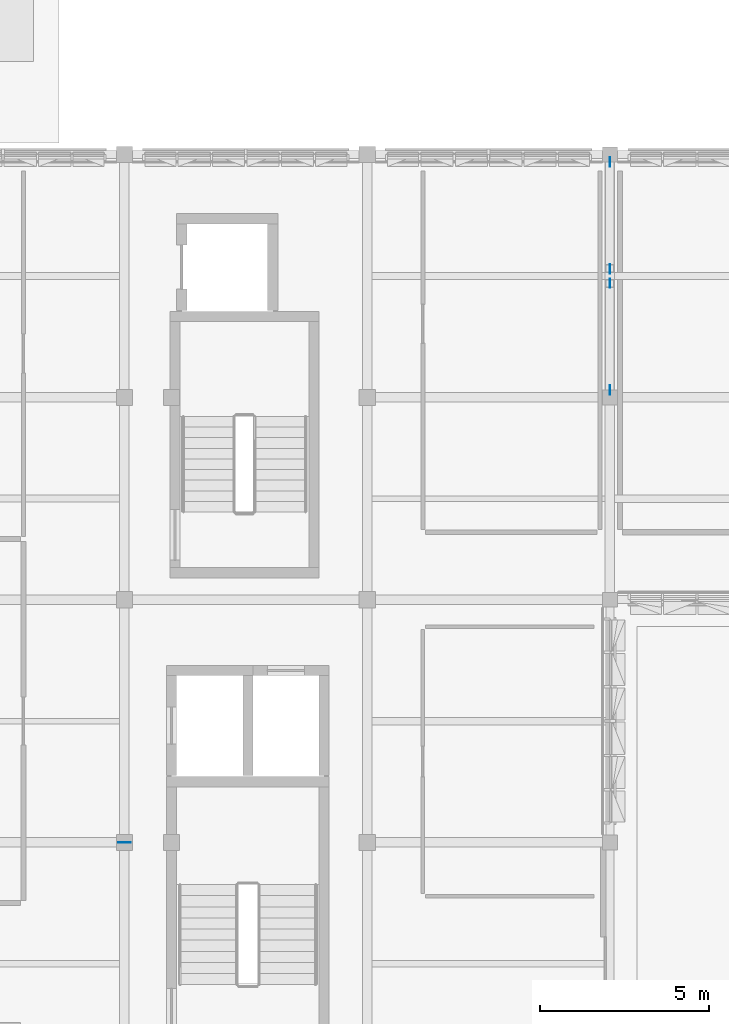
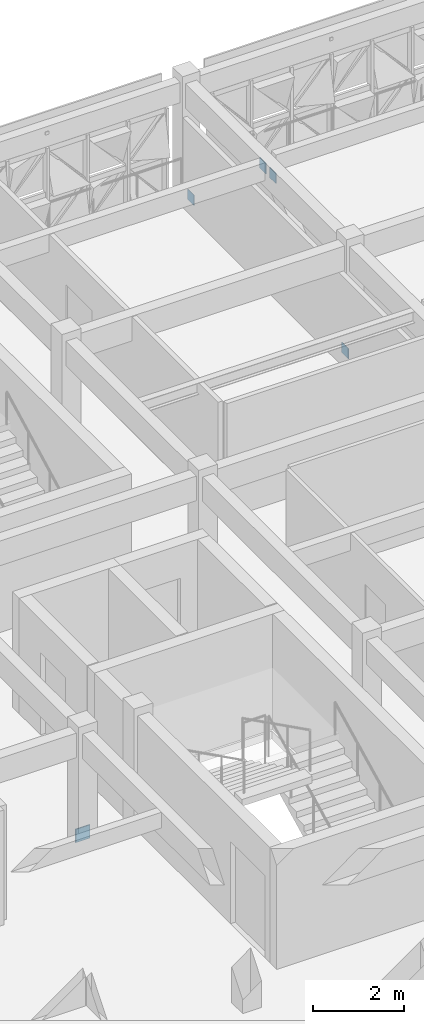
# One storey, part 18 of 35: 5 plates.
"""IFC4 building model written with IfcOpenShell, lengths in metres."""

from ifc_helpers import new_model, si_unit, direction, frame, origin, place, context, subcontext, project, spatial, polyline, outline, extrude, material, layer, layer_set, type_object, element, save


model = new_model("IFC4")

# Units and contexts
model_context = context("Model", 3, precision=1e-05, world=origin(), true_north=direction((0.0, 1.0)))
body_context = subcontext(model_context, "Body", "Model", "MODEL_VIEW")
ifc_project = project(units=[si_unit("LENGTHUNIT", "METRE"), si_unit("AREAUNIT", "SQUARE_METRE"), si_unit("VOLUMEUNIT", "CUBIC_METRE"), si_unit("PLANEANGLEUNIT", "RADIAN"), si_unit("MASSUNIT", "GRAM", prefix="KILO")], contexts=[model_context])

# Site, building, storey
site_placement = place(None, origin())
site = spatial("IfcSite", under=ifc_project, at=site_placement, CompositionType="ELEMENT")
building_placement = place(site_placement, origin())
building = spatial("IfcBuilding", under=site, at=building_placement, Name="Alvorim Cloister Faculty of Sciences", CompositionType="ELEMENT")
storey_placement = place(building_placement, frame((0.0, 0.0, 22.949951171875)))
storey = spatial("IfcBuildingStorey", under=building, at=storey_placement, Name="L06", CompositionType="ELEMENT", Elevation=22.949951171875)

# Plates
ifc_material = material(Name="Steel ASTM A572 Grade 50", Category="steel")
ifc_layer_1 = layer(ifc_material, 0.01611328125)
ifc_layer_set_1 = layer_set([ifc_layer_1], Name="Steel ASTM A572 Grade 50")
plate_type_1 = type_object("IfcPlateType", Name="PL-CAP-16", PredefinedType="SHEET", material=ifc_layer_set_1)
for number, where, z_axis, x_axis, name in (
    (1, (28.800048828125, 49.27392578125, -0.145263671875), (0.0, 0.0, 1.0), (0.0, 1.0, 0.0), "Hollow Steel End Plate ND-06"),
    (2, (28.800048828125, 52.446044921875, 2.625244140625), (0.0, 0.0, 1.0), (0.0, 1.0, 0.0), "Hollow Steel End Plate ND-06"),
    (3, (28.800048828125, 56.325927734375, -0.145263671875), (0.0, 0.0, 1.0), (0.0, -1.0, 0.0), "Hollow Steel End Plate ND-06"),
    (4, (28.800048828125, 53.154052734375, 2.625244140625), (0.0, 0.0, 1.0), (0.0, -1.0, 0.0), "Hollow Steel End Plate ND-06"),
):
    element("IfcPlate", number, at=place(storey_placement, frame(where, z_axis=z_axis, x_axis=x_axis)), inside=storey, type_object=plate_type_1, Name=name, PredefinedType="SHEET", context=body_context, shape_type="SweptSolid", body=[
        extrude(outline(polyline([(0.0, 0.0), (0.280029296875, 0.0), (0.280029296875, 0.280029296875), (0.0, 0.280029296875), (0.0, 0.0)])), frame((0.0, 0.008056640625, 0.0), z_axis=(0.0, -1.0, 0.0), x_axis=(1.0, 0.0, 0.0)), (0.0, 0.0, 1.0), 0.01611328125),
    ])
ifc_layer_2 = layer(ifc_material, 0.02490234375)
ifc_layer_set_2 = layer_set([ifc_layer_2], Name="Steel ASTM A572 Grade 50")
plate_type_2 = type_object("IfcPlateType", Name="PL-KNIFE-25", PredefinedType="SHEET", material=ifc_layer_set_2)
plate_placement = place(storey_placement, frame((14.219970703125, 36.0, 0.050048828125), z_axis=(0.0, 0.0, 1.0), x_axis=(1.0, 0.0, 0.0)))
element("IfcPlate", 5, at=plate_placement, inside=storey, type_object=plate_type_2, Name="Glulam-Steel Knife Connection Plate 8", PredefinedType="SHEET", context=body_context, shape_type="SweptSolid", body=[
    extrude(outline(polyline([(0.0, 0.0), (0.360107421875, 0.0), (0.360107421875, 0.360107421875), (0.0, 0.360107421875), (0.0, 0.0)])), frame((0.0, 0.012451171875, 0.0), z_axis=(0.0, -1.0, 0.0), x_axis=(1.0, 0.0, 0.0)), (0.0, 0.0, 1.0), 0.02490234375),
])

save(model, "model.ifc")
